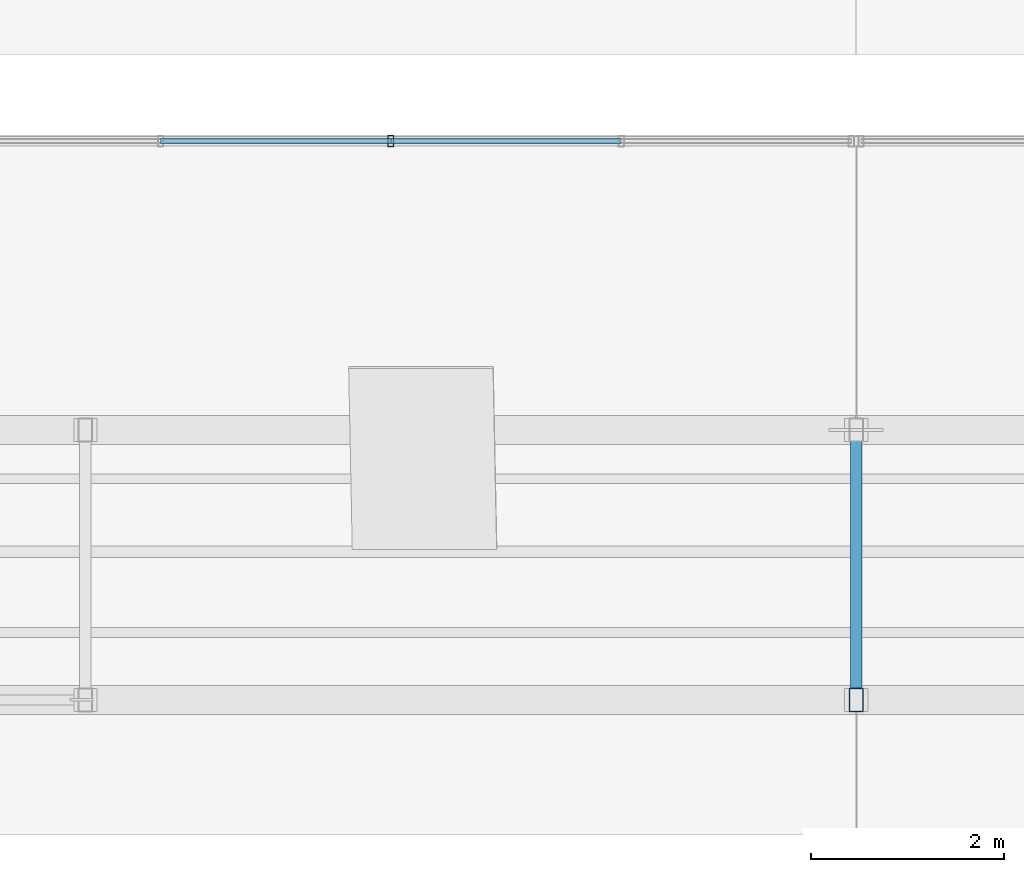
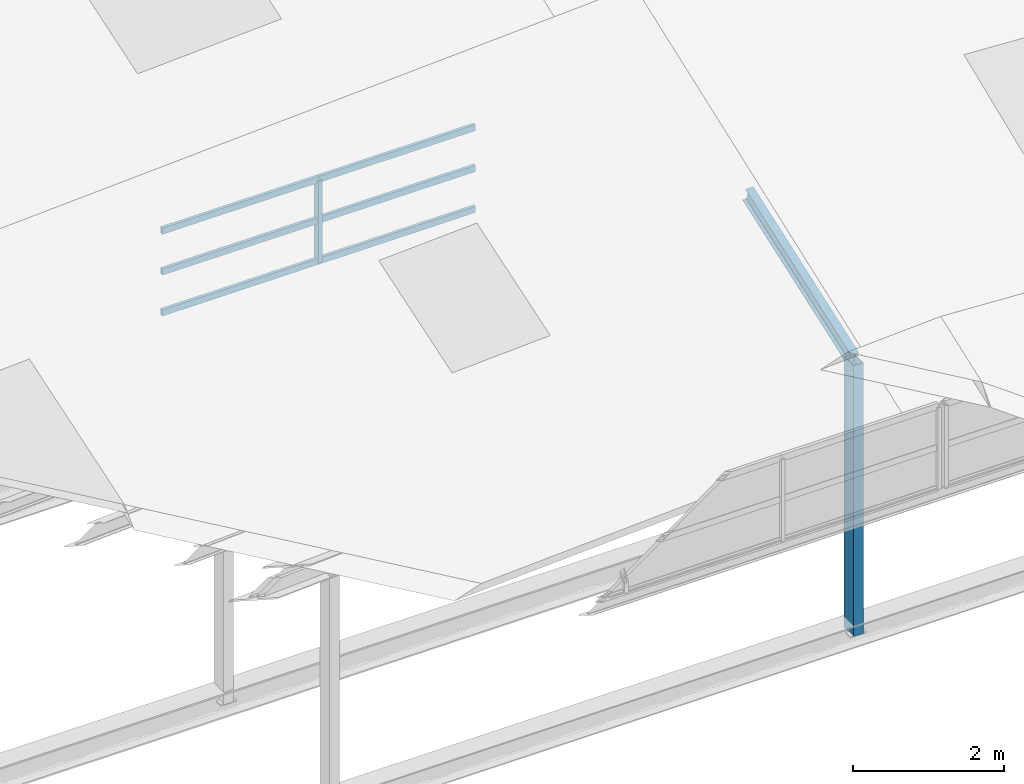
# One storey, part 82 of 141: 9 members, 1 element without a shape of its own.
"""IFC4 building model written with IfcOpenShell, lengths in metres."""

from ifc_helpers import new_model, si_unit, direction, frame, origin, origin_2d, place, context, subcontext, project, spatial, hollow_rectangle, i_section, extrude, material, material_profile, profile_set, type_object, element, aggregate, save


model = new_model("IFC4")

# Units and contexts
model_context = context("Model", 3, precision=1e-05, world=origin(), true_north=direction((0.0, 1.0)))
body_context = subcontext(model_context, "Body", "Model", "MODEL_VIEW")
ifc_project = project(units=[si_unit("LENGTHUNIT", "METRE"), si_unit("AREAUNIT", "SQUARE_METRE"), si_unit("VOLUMEUNIT", "CUBIC_METRE"), si_unit("PLANEANGLEUNIT", "RADIAN"), si_unit("MASSUNIT", "GRAM", prefix="KILO")], contexts=[model_context])

# Site, building, storey
site_placement = place(None, origin())
site = spatial("IfcSite", under=ifc_project, at=site_placement, CompositionType="ELEMENT")
building_placement = place(site_placement, origin())
building = spatial("IfcBuilding", under=site, at=building_placement, Name="Sundkrona Museum", CompositionType="ELEMENT")
storey_placement = place(building_placement, frame((0.0, 0.0, 34.0)))
storey = spatial("IfcBuildingStorey", under=building, at=storey_placement, Name="RF", CompositionType="ELEMENT", Elevation=34.0)

# Curtain wall, member
ifc_material_1 = material(Name="Unitised Aluminium-Steel and Ceramic-Clad Curtain Walling", Category="steel")
curtain_wall_type = type_object("IfcCurtainWallType", Name="CW-SW-240x13", PredefinedType="NOTDEFINED", material=ifc_material_1)
curtain_wall_placement = place(storey_placement, origin())
curtain_wall = element("IfcCurtainWall", 1, at=curtain_wall_placement, inside=storey, type_object=curtain_wall_type, Name="Sawtooth Bay 5 West North-Light Clerestory", PredefinedType="NOTDEFINED")
ifc_material_2 = material(Name="Aluminium EN AW-6060 T66", Category="aluminium")
ifc_material_profile_1 = material_profile(ifc_material_2, hollow_rectangle(XDim=0.06005859375, YDim=0.1201171875, WallThickness=0.0048828125, at=origin_2d()), Name="RHS 120x60x5.0")
ifc_profile_set_1 = profile_set([ifc_material_profile_1], Name="Aluminium EN AW-6060 T66")
member_type_1 = type_object("IfcMemberType", Name="ML-120", PredefinedType="MULLION", material=ifc_profile_set_1)
member_1_placement = place(storey_placement, frame((139.169921875, 34.60009765625, 3.89306640625), z_axis=(0.0, 0.0, 1.0), x_axis=(1.0, 0.0, 0.0)))
member_1 = element("IfcMember", 2, at=member_1_placement, type_object=member_type_1, Name="CW-RF-SAW-05W Mullion 09", PredefinedType="MULLION", context=body_context, shape_type="SweptSolid", body=[
    extrude(hollow_rectangle(XDim=0.06005859375, YDim=0.1201171875, WallThickness=0.0048828125, at=origin_2d()), origin(), (0.0, 0.0, 1.0), 1.31982421875),
])

# Members
ifc_material_3 = material(Name="Steel S355J2", Category="steel")
ifc_material_profile_2 = material_profile(ifc_material_3, i_section(OverallWidth=0.1201171875, OverallDepth=0.239990234375, WebThickness=0.006103515625, FlangeThickness=0.009765625, FilletRadius=0.014892578125, at=origin_2d()), Name="IPE 240")
ifc_profile_set_2 = profile_set([ifc_material_profile_2], Name="Steel S355J2")
member_type_2 = type_object("IfcMemberType", Name="PR-IPE240", PredefinedType="PURLIN", material=ifc_profile_set_2)
member_2_placement = place(storey_placement, frame((144.0, 28.800048828125, 4.115234375), z_axis=(0.0, 0.942754878846, 0.333486489099), x_axis=(-1.0, 0.0, 0.0)))
element("IfcMember", 3, at=member_2_placement, inside=storey, type_object=member_type_2, Name="RFS-1 Sawtooth Bay 5 Transverse Rafter 4", PredefinedType="PURLIN", context=body_context, shape_type="SweptSolid", body=[
    extrude(i_section(OverallWidth=0.1201171875, OverallDepth=0.239990234375, WebThickness=0.006103515625, FlangeThickness=0.009765625, FilletRadius=0.014892578125, at=origin_2d()), origin(), (0.0, 0.0, 1.0), 2.969970703125),
])
ifc_material_profile_3 = material_profile(ifc_material_3, hollow_rectangle(XDim=0.14990234375, YDim=0.25, WallThickness=0.010009765625, at=origin_2d()), Name="RHS 250x150x10.0")
ifc_profile_set_3 = profile_set([ifc_material_profile_3], Name="Steel S355J2")
member_type_3 = type_object("IfcMemberType", Name="ST-RHS250", PredefinedType="STRUT", material=ifc_profile_set_3)
member_3_placement = place(storey_placement, frame((144.0, 28.800048828125, -0.25), z_axis=(0.0, 0.0, 1.0), x_axis=(1.0, 0.0, 0.0)))
element("IfcMember", 4, at=member_3_placement, inside=storey, type_object=member_type_3, Name="RFS-1 Sawtooth Bay 5 Valley Post 4", PredefinedType="STRUT", context=body_context, shape_type="SweptSolid", body=[
    extrude(hollow_rectangle(XDim=0.14990234375, YDim=0.25, WallThickness=0.010009765625, at=origin_2d()), origin(), (0.0, 0.0, 1.0), 4.365234375),
])

# Member
ifc_material_profile_4 = material_profile(ifc_material_2, hollow_rectangle(XDim=0.050048828125, YDim=0.10009765625, WallThickness=0.0048828125, at=origin_2d()), Name="RHS 100x50x5.0")
ifc_profile_set_4 = profile_set([ifc_material_profile_4], Name="Aluminium EN AW-6060 T66")
member_type_4 = type_object("IfcMemberType", Name="TR-100", PredefinedType="USERDEFINED", material=ifc_profile_set_4)
member_4_placement = place(storey_placement, frame((136.780029296875, 34.60009765625, 3.89306640625), z_axis=(1.0, 0.0, 0.0), x_axis=(0.0, 1.0, 0.0)))
member_4 = element("IfcMember", 5, at=member_4_placement, type_object=member_type_4, Name="CW-RF-SAW-05W Transom 22", ObjectType="TRANSOM", PredefinedType="USERDEFINED", context=body_context, shape_type="SweptSolid", body=[
    extrude(hollow_rectangle(XDim=0.050048828125, YDim=0.10009765625, WallThickness=0.0048828125, at=origin_2d()), origin(), (0.0, 0.0, 1.0), 2.389892578125),
])

member_5_placement = place(storey_placement, frame((136.780029296875, 34.60009765625, 4.552978515625), z_axis=(1.0, 0.0, 0.0), x_axis=(0.0, 1.0, 0.0)))
member_5 = element("IfcMember", 6, at=member_5_placement, type_object=member_type_4, Name="CW-RF-SAW-05W Transom 23", ObjectType="TRANSOM", PredefinedType="USERDEFINED", context=body_context, shape_type="SweptSolid", body=[
    extrude(hollow_rectangle(XDim=0.050048828125, YDim=0.10009765625, WallThickness=0.0048828125, at=origin_2d()), origin(), (0.0, 0.0, 1.0), 2.389892578125),
])

member_6_placement = place(storey_placement, frame((136.780029296875, 34.60009765625, 5.212890625), z_axis=(1.0, 0.0, 0.0), x_axis=(0.0, 1.0, 0.0)))
member_6 = element("IfcMember", 7, at=member_6_placement, type_object=member_type_4, Name="CW-RF-SAW-05W Transom 24", ObjectType="TRANSOM", PredefinedType="USERDEFINED", context=body_context, shape_type="SweptSolid", body=[
    extrude(hollow_rectangle(XDim=0.050048828125, YDim=0.10009765625, WallThickness=0.0048828125, at=origin_2d()), origin(), (0.0, 0.0, 1.0), 2.389892578125),
])

member_7_placement = place(storey_placement, frame((139.169921875, 34.60009765625, 3.89306640625), z_axis=(1.0, 0.0, 0.0), x_axis=(0.0, 1.0, 0.0)))
member_7 = element("IfcMember", 8, at=member_7_placement, type_object=member_type_4, Name="CW-RF-SAW-05W Transom 25", ObjectType="TRANSOM", PredefinedType="USERDEFINED", context=body_context, shape_type="SweptSolid", body=[
    extrude(hollow_rectangle(XDim=0.050048828125, YDim=0.10009765625, WallThickness=0.0048828125, at=origin_2d()), origin(), (0.0, 0.0, 1.0), 2.39013671875),
])

member_8_placement = place(storey_placement, frame((139.169921875, 34.60009765625, 4.552978515625), z_axis=(1.0, 0.0, 0.0), x_axis=(0.0, 1.0, 0.0)))
member_8 = element("IfcMember", 9, at=member_8_placement, type_object=member_type_4, Name="CW-RF-SAW-05W Transom 26", ObjectType="TRANSOM", PredefinedType="USERDEFINED", context=body_context, shape_type="SweptSolid", body=[
    extrude(hollow_rectangle(XDim=0.050048828125, YDim=0.10009765625, WallThickness=0.0048828125, at=origin_2d()), origin(), (0.0, 0.0, 1.0), 2.39013671875),
])

member_9_placement = place(storey_placement, frame((139.169921875, 34.60009765625, 5.212890625), z_axis=(1.0, 0.0, 0.0), x_axis=(0.0, 1.0, 0.0)))
member_9 = element("IfcMember", 10, at=member_9_placement, type_object=member_type_4, Name="CW-RF-SAW-05W Transom 27", ObjectType="TRANSOM", PredefinedType="USERDEFINED", context=body_context, shape_type="SweptSolid", body=[
    extrude(hollow_rectangle(XDim=0.050048828125, YDim=0.10009765625, WallThickness=0.0048828125, at=origin_2d()), origin(), (0.0, 0.0, 1.0), 2.39013671875),
])

aggregate(curtain_wall, [member_1, member_4, member_5, member_6, member_7, member_8, member_9])

save(model, "model.ifc")
